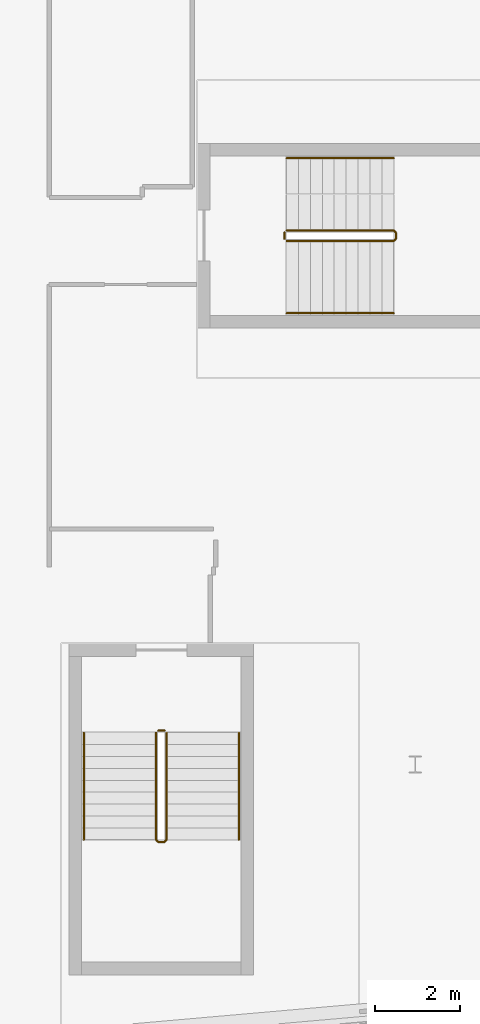
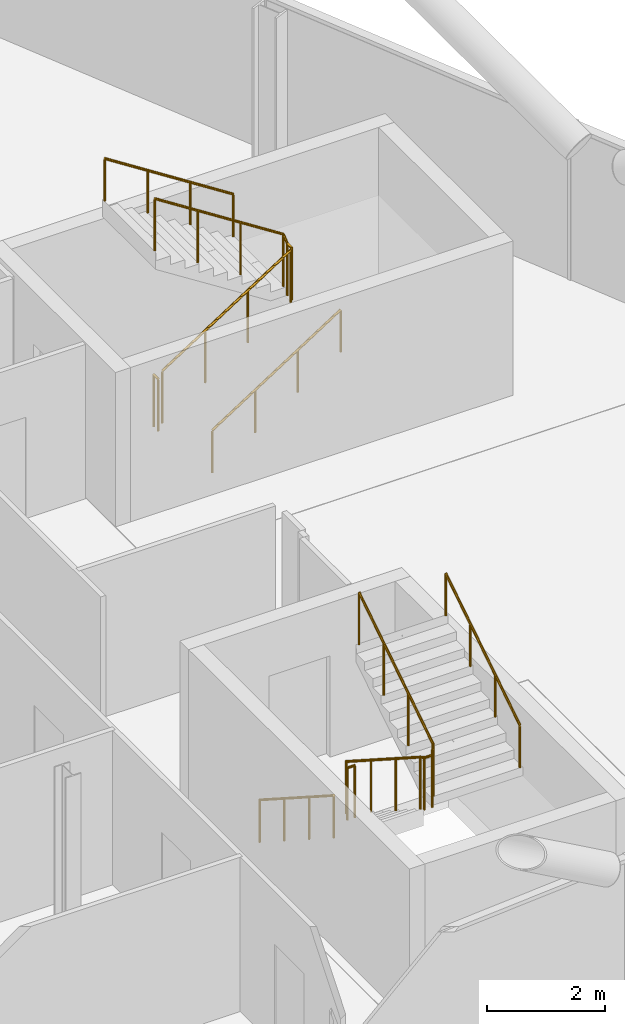
# One storey, part 26 of 27: 8 railings.
"""IFC4 building model written with IfcOpenShell, lengths in metres."""

from ifc_helpers import new_model, si_unit, direction, frame, origin, origin_2d, place, context, subcontext, project, spatial, circle, extrude, material, type_object, element, save


model = new_model("IFC4")

# Units and contexts
model_context = context("Model", 3, precision=1e-05, world=origin(), true_north=direction((0.0, 1.0)))
body_context = subcontext(model_context, "Body", "Model", "MODEL_VIEW")
ifc_project = project(units=[si_unit("LENGTHUNIT", "METRE"), si_unit("AREAUNIT", "SQUARE_METRE"), si_unit("VOLUMEUNIT", "CUBIC_METRE"), si_unit("PLANEANGLEUNIT", "RADIAN"), si_unit("MASSUNIT", "GRAM", prefix="KILO")], contexts=[model_context])

# Site, building, storey
site_placement = place(None, origin())
site = spatial("IfcSite", under=ifc_project, at=site_placement, CompositionType="ELEMENT")
building_placement = place(site_placement, origin())
building = spatial("IfcBuilding", under=site, at=building_placement, Name="Wharfspan Tower", CompositionType="ELEMENT")
storey_placement = place(building_placement, frame((0.0, 0.0, 221.5)))
storey = spatial("IfcBuildingStorey", under=building, at=storey_placement, Name="L55", CompositionType="ELEMENT", Elevation=221.5)

# Railings
ifc_material = material(Name="Steel S355J2", Category="steel")
railing_type_1 = type_object("IfcRailingType", Name="Stair guard 1100", PredefinedType="GUARDRAIL", material=ifc_material)
railing_1_placement = place(storey_placement, frame((65.893799, 12.246094, 0.179932)))
element("IfcRailing", 1, at=railing_1_placement, inside=storey, type_object=railing_type_1, Name="L55 ST5 stair guard 1", PredefinedType="GUARDRAIL", context=body_context, shape_type="SweptSolid", body=[
    extrude(circle(Radius=0.023926, at=origin_2d()), frame((0.0, 0.0, 1.076172), z_axis=(0.0, -0.841163, 0.540782), x_axis=(1.0, 0.0, 0.0)), (0.0, 0.0, 1.0), 2.99585),
    extrude(circle(Radius=0.023926, at=origin_2d()), frame((0.0, -2.52002, 2.696289), z_axis=(0.708834, -0.705376, 0.0), x_axis=(0.705376, 0.708834, 0.0)), (0.0, 0.0, 1.0), 0.070557),
    extrude(circle(Radius=0.023926, at=origin_2d()), frame((0.050049, -2.569824, 2.696289), z_axis=(1.0, 0.0, 0.0), x_axis=(0.0, 1.0, 0.0)), (0.0, 0.0, 1.0), 0.149902),
    extrude(circle(Radius=0.023926, at=origin_2d()), frame((0.199951, -2.569824, 2.696289), z_axis=(0.258932, 0.257669, 0.930892), x_axis=(-0.705372, 0.708833, -1e-06)), (0.0, 0.0, 1.0), 0.193359),
    extrude(circle(Radius=0.023926, at=origin_2d()), frame((0.25, -2.52002, 2.875977), z_axis=(0.0, 0.841163, 0.540782), x_axis=(-1.0, 0.0, 0.0)), (0.0, 0.0, 1.0), 2.99585),
    extrude(circle(Radius=0.020996, at=origin_2d()), origin(), (0.0, 0.0, 1.0), 1.052002),
    extrude(circle(Radius=0.020996, at=origin_2d()), frame((0.0, -0.840088, 0.540039)), (0.0, 0.0, 1.0), 1.052002),
    extrude(circle(Radius=0.020996, at=origin_2d()), frame((0.0, -1.679932, 1.080078)), (0.0, 0.0, 1.0), 1.052002),
    extrude(circle(Radius=0.020996, at=origin_2d()), frame((0.0, -2.52002, 1.620117)), (0.0, 0.0, 1.0), 1.052002),
    extrude(circle(Radius=0.020996, at=origin_2d()), frame((0.050049, -2.569824, 1.620117)), (0.0, 0.0, 1.0), 1.052002),
    extrude(circle(Radius=0.020996, at=origin_2d()), frame((0.199951, -2.569824, 1.620117)), (0.0, 0.0, 1.0), 1.052002),
    extrude(circle(Radius=0.020996, at=origin_2d()), frame((0.25, -2.52002, 1.800049)), (0.0, 0.0, 1.0), 1.052002),
    extrude(circle(Radius=0.020996, at=origin_2d()), frame((0.25, -1.679932, 2.340088)), (0.0, 0.0, 1.0), 1.052002),
    extrude(circle(Radius=0.020996, at=origin_2d()), frame((0.25, -0.840088, 2.880127)), (0.0, 0.0, 1.0), 1.052002),
    extrude(circle(Radius=0.020996, at=origin_2d()), frame((0.25, 0.0, 3.420166)), (0.0, 0.0, 1.0), 1.052002),
])
railing_2_placement = place(storey_placement, frame((65.943848, 12.296143, 0.0)))
element("IfcRailing", 2, at=railing_2_placement, inside=storey, type_object=railing_type_1, Name="L55 ST5 stair guard 2", PredefinedType="GUARDRAIL", context=body_context, shape_type="SweptSolid", body=[
    extrude(circle(Radius=0.023926, at=origin_2d()), frame((0.0, 0.0, 1.076172), z_axis=(1.0, 0.0, 0.0), x_axis=(0.0, 1.0, 0.0)), (0.0, 0.0, 1.0), 0.149902),
    extrude(circle(Radius=0.020996, at=origin_2d()), origin(), (0.0, 0.0, 1.0), 1.052002),
    extrude(circle(Radius=0.020996, at=origin_2d()), frame((0.149902, 0.0, 0.0)), (0.0, 0.0, 1.0), 1.052002),
])
railing_3_placement = place(storey_placement, frame((68.969482, 23.824951, 0.179932)))
element("IfcRailing", 3, at=railing_3_placement, inside=storey, type_object=railing_type_1, Name="L55 ST6 stair guard 1", PredefinedType="GUARDRAIL", context=body_context, shape_type="SweptSolid", body=[
    extrude(circle(Radius=0.023926, at=origin_2d()), frame((0.0, 0.0, 1.076172), z_axis=(0.841163, 0.0, 0.540782), x_axis=(0.0, 1.0, 0.0)), (0.0, 0.0, 1.0), 2.99585),
    extrude(circle(Radius=0.023926, at=origin_2d()), frame((2.52002, 0.0, 2.696289), z_axis=(0.707107, 0.707107, 0.0), x_axis=(-0.707107, 0.707107, 0.0)), (0.0, 0.0, 1.0), 0.070801),
    extrude(circle(Radius=0.023926, at=origin_2d()), frame((2.570068, 0.050049, 2.696289), z_axis=(0.0, 1.0, 0.0), x_axis=(-1.0, 0.0, 0.0)), (0.0, 0.0, 1.0), 0.149902),
    extrude(circle(Radius=0.023926, at=origin_2d()), frame((2.570068, 0.199951, 2.696289), z_axis=(-0.258848, 0.258848, 0.930589), x_axis=(-0.707107, -0.707107, 0.0)), (0.0, 0.0, 1.0), 0.193359),
    extrude(circle(Radius=0.023926, at=origin_2d()), frame((2.52002, 0.25, 2.875977), z_axis=(-0.841163, 0.0, 0.540782), x_axis=(0.0, -1.0, 0.0)), (0.0, 0.0, 1.0), 2.99585),
    extrude(circle(Radius=0.020996, at=origin_2d()), origin(), (0.0, 0.0, 1.0), 1.052002),
    extrude(circle(Radius=0.020996, at=origin_2d()), frame((0.840088, 0.0, 0.540039)), (0.0, 0.0, 1.0), 1.052002),
    extrude(circle(Radius=0.020996, at=origin_2d()), frame((1.679932, 0.0, 1.080078)), (0.0, 0.0, 1.0), 1.052002),
    extrude(circle(Radius=0.020996, at=origin_2d()), frame((2.52002, 0.0, 1.620117)), (0.0, 0.0, 1.0), 1.052002),
    extrude(circle(Radius=0.020996, at=origin_2d()), frame((2.570068, 0.050049, 1.620117)), (0.0, 0.0, 1.0), 1.052002),
    extrude(circle(Radius=0.020996, at=origin_2d()), frame((2.570068, 0.199951, 1.620117)), (0.0, 0.0, 1.0), 1.052002),
    extrude(circle(Radius=0.020996, at=origin_2d()), frame((2.52002, 0.25, 1.800049)), (0.0, 0.0, 1.0), 1.052002),
    extrude(circle(Radius=0.020996, at=origin_2d()), frame((1.679932, 0.25, 2.340088)), (0.0, 0.0, 1.0), 1.052002),
    extrude(circle(Radius=0.020996, at=origin_2d()), frame((0.840088, 0.25, 2.880127)), (0.0, 0.0, 1.0), 1.052002),
    extrude(circle(Radius=0.020996, at=origin_2d()), frame((0.0, 0.25, 3.420166)), (0.0, 0.0, 1.0), 1.052002),
])
railing_4_placement = place(storey_placement, frame((68.919678, 23.875, 0.0)))
element("IfcRailing", 4, at=railing_4_placement, inside=storey, type_object=railing_type_1, Name="L55 ST6 stair guard 2", PredefinedType="GUARDRAIL", context=body_context, shape_type="SweptSolid", body=[
    extrude(circle(Radius=0.023926, at=origin_2d()), frame((0.0, 0.0, 1.076172), z_axis=(0.0, 1.0, 0.0), x_axis=(-1.0, 0.0, 0.0)), (0.0, 0.0, 1.0), 0.149902),
    extrude(circle(Radius=0.020996, at=origin_2d()), origin(), (0.0, 0.0, 1.0), 1.052002),
    extrude(circle(Radius=0.020996, at=origin_2d()), frame((0.0, 0.149902, 0.0)), (0.0, 0.0, 1.0), 1.052002),
])
railing_type_2 = type_object("IfcRailingType", Name="Stair handrail 900", PredefinedType="HANDRAIL", material=ifc_material)
railing_5_placement = place(storey_placement, frame((64.193848, 12.246094, 0.179932)))
element("IfcRailing", 5, at=railing_5_placement, inside=storey, type_object=railing_type_2, Name="L55 ST5 stair handrail 1", PredefinedType="HANDRAIL", context=body_context, shape_type="SweptSolid", body=[
    extrude(circle(Radius=0.023926, at=origin_2d()), frame((0.0, 0.0, 0.875977), z_axis=(0.0, -0.841163, 0.540782), x_axis=(1.0, 0.0, 0.0)), (0.0, 0.0, 1.0), 2.99585),
    extrude(circle(Radius=0.020996, at=origin_2d()), origin(), (0.0, 0.0, 1.0), 0.851807),
    extrude(circle(Radius=0.020996, at=origin_2d()), frame((0.0, -0.840088, 0.540039)), (0.0, 0.0, 1.0), 0.851807),
    extrude(circle(Radius=0.020996, at=origin_2d()), frame((0.0, -1.679932, 1.080078)), (0.0, 0.0, 1.0), 0.851807),
    extrude(circle(Radius=0.020996, at=origin_2d()), frame((0.0, -2.52002, 1.620117)), (0.0, 0.0, 1.0), 0.851807),
])
railing_6_placement = place(storey_placement, frame((67.84375, 9.726074, 1.97998)))
element("IfcRailing", 6, at=railing_6_placement, inside=storey, type_object=railing_type_2, Name="L55 ST5 stair handrail 2", PredefinedType="HANDRAIL", context=body_context, shape_type="SweptSolid", body=[
    extrude(circle(Radius=0.023926, at=origin_2d()), frame((0.0, 0.0, 0.875977), z_axis=(0.0, 0.841163, 0.540782), x_axis=(-1.0, 0.0, 0.0)), (0.0, 0.0, 1.0), 2.99585),
    extrude(circle(Radius=0.020996, at=origin_2d()), origin(), (0.0, 0.0, 1.0), 0.851807),
    extrude(circle(Radius=0.020996, at=origin_2d()), frame((0.0, 0.840088, 0.540039)), (0.0, 0.0, 1.0), 0.851807),
    extrude(circle(Radius=0.020996, at=origin_2d()), frame((0.0, 1.679932, 1.080078)), (0.0, 0.0, 1.0), 0.851807),
    extrude(circle(Radius=0.020996, at=origin_2d()), frame((0.0, 2.52002, 1.620117)), (0.0, 0.0, 1.0), 0.851807),
])
railing_7_placement = place(storey_placement, frame((68.969482, 22.125, 0.179932)))
element("IfcRailing", 7, at=railing_7_placement, inside=storey, type_object=railing_type_2, Name="L55 ST6 stair handrail 1", PredefinedType="HANDRAIL", context=body_context, shape_type="SweptSolid", body=[
    extrude(circle(Radius=0.023926, at=origin_2d()), frame((0.0, 0.0, 0.875977), z_axis=(0.841163, 0.0, 0.540782), x_axis=(0.0, 1.0, 0.0)), (0.0, 0.0, 1.0), 2.99585),
    extrude(circle(Radius=0.020996, at=origin_2d()), origin(), (0.0, 0.0, 1.0), 0.851807),
    extrude(circle(Radius=0.020996, at=origin_2d()), frame((0.840088, 0.0, 0.540039)), (0.0, 0.0, 1.0), 0.851807),
    extrude(circle(Radius=0.020996, at=origin_2d()), frame((1.679932, 0.0, 1.080078)), (0.0, 0.0, 1.0), 0.851807),
    extrude(circle(Radius=0.020996, at=origin_2d()), frame((2.52002, 0.0, 1.620117)), (0.0, 0.0, 1.0), 0.851807),
])
railing_8_placement = place(storey_placement, frame((71.489502, 25.774902, 1.97998)))
element("IfcRailing", 8, at=railing_8_placement, inside=storey, type_object=railing_type_2, Name="L55 ST6 stair handrail 2", PredefinedType="HANDRAIL", context=body_context, shape_type="SweptSolid", body=[
    extrude(circle(Radius=0.023926, at=origin_2d()), frame((0.0, 0.0, 0.875977), z_axis=(-0.841163, 0.0, 0.540782), x_axis=(0.0, -1.0, 0.0)), (0.0, 0.0, 1.0), 2.99585),
    extrude(circle(Radius=0.020996, at=origin_2d()), origin(), (0.0, 0.0, 1.0), 0.851807),
    extrude(circle(Radius=0.020996, at=origin_2d()), frame((-0.840088, 0.0, 0.540039)), (0.0, 0.0, 1.0), 0.851807),
    extrude(circle(Radius=0.020996, at=origin_2d()), frame((-1.679932, 0.0, 1.080078)), (0.0, 0.0, 1.0), 0.851807),
    extrude(circle(Radius=0.020996, at=origin_2d()), frame((-2.52002, 0.0, 1.620117)), (0.0, 0.0, 1.0), 0.851807),
])

save(model, "model.ifc")
